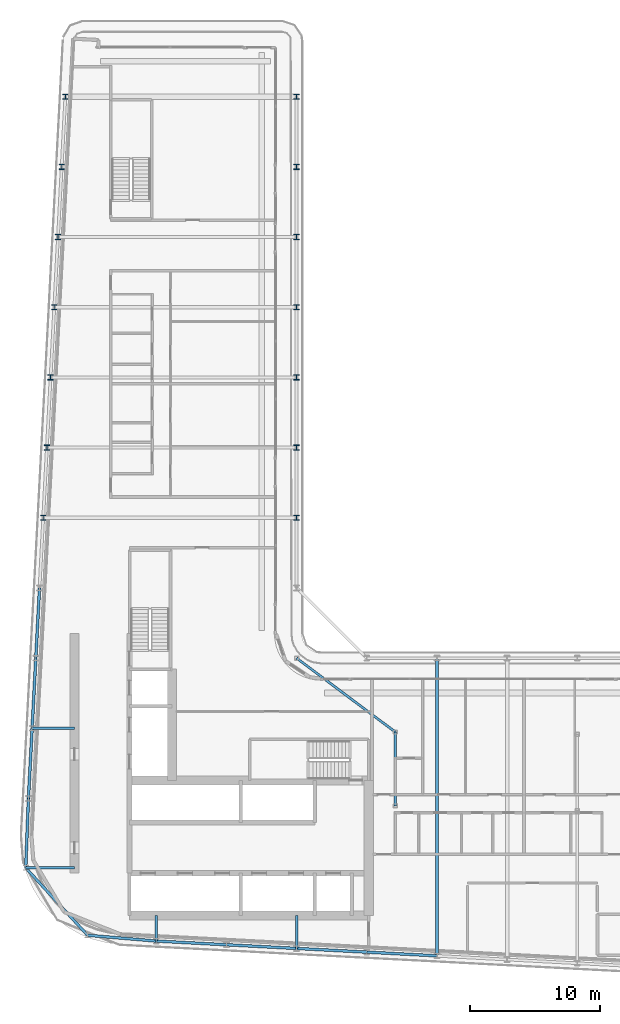
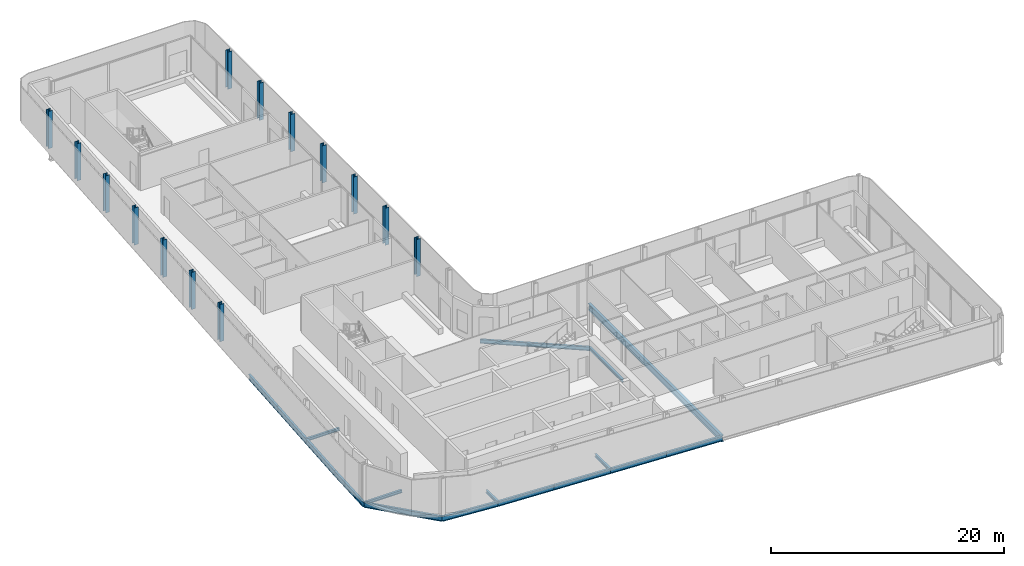
# One storey, part 3 of 21: 17 beams, 14 columns.
"""IFC4 building model written with IfcOpenShell, lengths in metres."""

from ifc_helpers import new_model, si_unit, direction, frame, origin, origin_2d, place, context, subcontext, project, spatial, i_section, extrude, material, material_profile, profile_set, type_object, element, save


model = new_model("IFC4")

# Units and contexts
model_context = context("Model", 3, precision=1e-05, world=origin(), true_north=direction((0.0, 1.0)))
body_context = subcontext(model_context, "Body", "Model", "MODEL_VIEW")
ifc_project = project(units=[si_unit("LENGTHUNIT", "METRE"), si_unit("AREAUNIT", "SQUARE_METRE"), si_unit("VOLUMEUNIT", "CUBIC_METRE"), si_unit("PLANEANGLEUNIT", "RADIAN"), si_unit("MASSUNIT", "GRAM", prefix="KILO")], contexts=[model_context])

# Site, building, storey
site_placement = place(None, origin())
site = spatial("IfcSite", under=ifc_project, at=site_placement, CompositionType="ELEMENT")
building_placement = place(site_placement, origin())
building = spatial("IfcBuilding", under=site, at=building_placement, Name="Kheshtan School and Residences Tower", CompositionType="ELEMENT")
storey_placement = place(building_placement, frame((0.0, 0.0, 235.699951171875)))
storey = spatial("IfcBuildingStorey", under=building, at=storey_placement, Name="L55", CompositionType="ELEMENT", Elevation=235.699951171875)

# Columns
ifc_material = material(Name="Steel ASTM A992 Grade 50", Category="steel")
ifc_material_profile_1 = material_profile(ifc_material, i_section(OverallWidth=0.404052734375, OverallDepth=0.406982421875, WebThickness=0.027099609375, FlangeThickness=0.043701171875, FilletRadius=0.01220703125, at=origin_2d()), Name="W360x347")
ifc_profile_set_1 = profile_set([ifc_material_profile_1], Name="Steel ASTM A992 Grade 50")
column_type = type_object("IfcColumnType", Name="Column C4 W360x347 ASTM A992 Grade 50", PredefinedType="COLUMN", material=ifc_profile_set_1)
for number, where, z_axis, x_axis, name in (
    (1, (28.10595703125, 56.39990234375, 0.0), (0.0, 0.0, 1.0), (1.0, 0.0, 0.0), "Column C080"),
    (2, (47.60009765625, 56.39990234375, 0.0), (0.0, 0.0, 1.0), (1.0, 0.0, 0.0), "Column C081"),
    (3, (28.389892578125, 61.800048828125, 0.0), (0.0, 0.0, 1.0), (1.0, 0.0, 0.0), "Column C082"),
    (4, (47.60009765625, 61.800048828125, 0.0), (0.0, 0.0, 1.0), (1.0, 0.0, 0.0), "Column C083"),
    (5, (28.674072265625, 67.199951171875, 0.0), (0.0, 0.0, 1.0), (1.0, 0.0, 0.0), "Column C084"),
    (6, (47.60009765625, 67.199951171875, 0.0), (0.0, 0.0, 1.0), (1.0, 0.0, 0.0), "Column C085"),
    (7, (28.9580078125, 72.60009765625, 0.0), (0.0, 0.0, 1.0), (1.0, 0.0, 0.0), "Column C086"),
    (8, (47.60009765625, 72.60009765625, 0.0), (0.0, 0.0, 1.0), (1.0, 0.0, 0.0), "Column C087"),
    (9, (29.242919921875, 78.0, 0.0), (0.0, 0.0, 1.0), (1.0, 0.0, 0.0), "Column C088"),
    (10, (47.60009765625, 78.0, 0.0), (0.0, 0.0, 1.0), (1.0, 0.0, 0.0), "Column C089"),
    (11, (29.527099609375, 83.39990234375, 0.0), (0.0, 0.0, 1.0), (1.0, 0.0, 0.0), "Column C090"),
    (12, (47.60009765625, 83.39990234375, 0.0), (0.0, 0.0, 1.0), (1.0, 0.0, 0.0), "Column C091"),
    (13, (29.81103515625, 88.800048828125, 0.0), (0.0, 0.0, 1.0), (1.0, 0.0, 0.0), "Column C098"),
    (14, (47.60009765625, 88.800048828125, 0.0), (0.0, 0.0, 1.0), (1.0, 0.0, 0.0), "Column C099"),
):
    element("IfcColumn", number, at=place(storey_placement, frame(where, z_axis=z_axis, x_axis=x_axis)), inside=storey, type_object=column_type, Name=name, PredefinedType="COLUMN", context=body_context, shape_type="SweptSolid", body=[
        extrude(i_section(OverallWidth=0.404052734375, OverallDepth=0.406982421875, WebThickness=0.027099609375, FlangeThickness=0.043701171875, FilletRadius=0.01220703125, at=origin_2d()), origin(), (0.0, 0.0, 1.0), 3.900146484375),
    ])

# Beams
ifc_material_profile_2 = material_profile(ifc_material, i_section(OverallWidth=0.202880859375, OverallDepth=0.302978515625, WebThickness=0.007568359375, FlangeThickness=0.01318359375, FilletRadius=0.009033203125, at=origin_2d()), Name="W310x60")
ifc_profile_set_2 = profile_set([ifc_material_profile_2], Name="Steel ASTM A992 Grade 50")
beam_type_1 = type_object("IfcBeamType", Name="Beam FB1 W310x60 ASTM A992 Grade 50", PredefinedType="BEAM", material=ifc_profile_set_2)
beam_1_placement = place(storey_placement, frame((47.60009765625, 23.263916015625, -0.301513671875), z_axis=(0.0, 1.0, 0.0), x_axis=(-1.0, 0.0, 0.0)))
element("IfcBeam", 15, at=beam_1_placement, inside=storey, type_object=beam_type_1, Name="Floor beam C020", PredefinedType="BEAM", context=body_context, shape_type="SweptSolid", body=[
    extrude(i_section(OverallWidth=0.202880859375, OverallDepth=0.302978515625, WebThickness=0.007568359375, FlangeThickness=0.01318359375, FilletRadius=0.009033203125, at=origin_2d()), origin(), (0.0, 0.0, 1.0), 2.5361328125),
])
beam_2_placement = place(storey_placement, frame((36.800048828125, 23.83203125, -0.301513671875), z_axis=(0.0, 1.0, 0.0), x_axis=(-1.0, 0.0, 0.0)))
element("IfcBeam", 16, at=beam_2_placement, inside=storey, type_object=beam_type_1, Name="Floor beam C022", PredefinedType="BEAM", context=body_context, shape_type="SweptSolid", body=[
    extrude(i_section(OverallWidth=0.202880859375, OverallDepth=0.302978515625, WebThickness=0.007568359375, FlangeThickness=0.01318359375, FilletRadius=0.009033203125, at=origin_2d()), origin(), (0.0, 0.0, 1.0), 1.968017578125),
])
beam_3_placement = place(storey_placement, frame((26.760986328125, 29.465087890625, -0.301513671875), z_axis=(1.0, 0.0, 0.0), x_axis=(0.0, 1.0, 0.0)))
element("IfcBeam", 17, at=beam_3_placement, inside=storey, type_object=beam_type_1, Name="Floor beam C042", PredefinedType="BEAM", context=body_context, shape_type="SweptSolid", body=[
    extrude(i_section(OverallWidth=0.202880859375, OverallDepth=0.302978515625, WebThickness=0.007568359375, FlangeThickness=0.01318359375, FilletRadius=0.009033203125, at=origin_2d()), origin(), (0.0, 0.0, 1.0), 3.739013671875),
])
beam_4_placement = place(storey_placement, frame((27.2529296875, 40.199951171875, -0.301513671875), z_axis=(1.0, 0.0, 0.0), x_axis=(0.0, 1.0, 0.0)))
element("IfcBeam", 18, at=beam_4_placement, inside=storey, type_object=beam_type_1, Name="Floor beam C056", PredefinedType="BEAM", context=body_context, shape_type="SweptSolid", body=[
    extrude(i_section(OverallWidth=0.202880859375, OverallDepth=0.302978515625, WebThickness=0.007568359375, FlangeThickness=0.01318359375, FilletRadius=0.009033203125, at=origin_2d()), origin(), (0.0, 0.0, 1.0), 3.2470703125),
])
beam_5_placement = place(storey_placement, frame((55.199951171875, 34.23193359375, -0.301513671875), z_axis=(0.0, 1.0, 0.0), x_axis=(-1.0, 0.0, 0.0)))
element("IfcBeam", 19, at=beam_5_placement, inside=storey, type_object=beam_type_1, Name="Floor beam IC", PredefinedType="BEAM", context=body_context, shape_type="SweptSolid", body=[
    extrude(i_section(OverallWidth=0.202880859375, OverallDepth=0.302978515625, WebThickness=0.007568359375, FlangeThickness=0.01318359375, FilletRadius=0.009033203125, at=origin_2d()), origin(), (0.0, 0.0, 1.0), 5.68408203125),
])
ifc_material_profile_3 = material_profile(ifc_material, i_section(OverallWidth=0.180908203125, OverallDepth=0.4169921875, WebThickness=0.010986328125, FlangeThickness=0.018310546875, FilletRadius=0.012451171875, at=origin_2d()), Name="W410x85")
ifc_profile_set_3 = profile_set([ifc_material_profile_3], Name="Steel ASTM A992 Grade 50")
beam_type_2 = type_object("IfcBeamType", Name="Beam FB3 W410x85 ASTM A992 Grade 50", PredefinedType="BEAM", material=ifc_profile_set_3)
beam_6_placement = place(storey_placement, frame((47.60009765625, 45.60009765625, -0.3583984375), z_axis=(0.800798828004, -0.598933416222, 0.0), x_axis=(0.598933416222, 0.800798828004, 0.0)))
element("IfcBeam", 20, at=beam_6_placement, inside=storey, type_object=beam_type_2, Name="Floor beam IC", PredefinedType="BEAM", context=body_context, shape_type="SweptSolid", body=[
    extrude(i_section(OverallWidth=0.180908203125, OverallDepth=0.4169921875, WebThickness=0.010986328125, FlangeThickness=0.018310546875, FilletRadius=0.012451171875, at=origin_2d()), origin(), (0.0, 0.0, 1.0), 9.490234375),
])
ifc_material_profile_4 = material_profile(ifc_material, i_section(OverallWidth=0.2529296875, OverallDepth=0.677978515625, WebThickness=0.01171875, FlangeThickness=0.016357421875, FilletRadius=0.0146484375, at=origin_2d()), Name="W690x125")
ifc_profile_set_4 = profile_set([ifc_material_profile_4], Name="Steel ASTM A992 Grade 50")
beam_type_3 = type_object("IfcBeamType", Name="Beam FB6 W690x125 ASTM A992 Grade 50", PredefinedType="BEAM", material=ifc_profile_set_4)
beam_7_placement = place(storey_placement, frame((58.39990234375, 22.695068359375, -0.489013671875), z_axis=(0.0, 1.0, 0.0), x_axis=(-1.0, 0.0, 0.0)))
element("IfcBeam", 21, at=beam_7_placement, inside=storey, type_object=beam_type_3, Name="Floor beam C018", PredefinedType="BEAM", context=body_context, shape_type="SweptSolid", body=[
    extrude(i_section(OverallWidth=0.2529296875, OverallDepth=0.677978515625, WebThickness=0.01171875, FlangeThickness=0.016357421875, FilletRadius=0.0146484375, at=origin_2d()), origin(), (0.0, 0.0, 1.0), 22.905029296875),
])
ifc_material_profile_5 = material_profile(ifc_material, i_section(OverallWidth=0.208984375, OverallDepth=0.532958984375, WebThickness=0.01025390625, FlangeThickness=0.015625, FilletRadius=0.013916015625, at=origin_2d()), Name="W530x92")
ifc_profile_set_5 = profile_set([ifc_material_profile_5], Name="Steel ASTM A992 Grade 50")
beam_type_4 = type_object("IfcBeamType", Name="Beam SP3 W530x92 ASTM A992 Grade 50", PredefinedType="BEAM", material=ifc_profile_set_5)
for number, where, z_axis, x_axis, name in (
    (22, (58.39990234375, 22.695068359375, -0.41650390625), (-0.998610961136, 0.052689166816, 0.0), (-0.052689166816, -0.998610961136, 0.0), "Spandrel beam C018-C019"),
    (23, (53.0, 22.97998046875, -0.41650390625), (-0.998620447272, 0.05250906864, 0.0), (-0.05250906864, -0.998620447272, 0.0), "Spandrel beam C019-C020"),
):
    element("IfcBeam", number, at=place(storey_placement, frame(where, z_axis=z_axis, x_axis=x_axis)), inside=storey, type_object=beam_type_4, Name=name, PredefinedType="BEAM", context=body_context, shape_type="SweptSolid", body=[
        extrude(i_section(OverallWidth=0.208984375, OverallDepth=0.532958984375, WebThickness=0.01025390625, FlangeThickness=0.015625, FilletRadius=0.013916015625, at=origin_2d()), origin(), (0.0, 0.0, 1.0), 5.407470703125),
    ])
beam_8_placement = place(storey_placement, frame((47.60009765625, 23.263916015625, -0.41650390625), z_axis=(-0.998618203458, 0.052551724256, 0.0), x_axis=(-0.052551724256, -0.998618203458, 0.0)))
element("IfcBeam", 24, at=beam_8_placement, inside=storey, type_object=beam_type_4, Name="Spandrel beam C020-C021", PredefinedType="BEAM", context=body_context, shape_type="SweptSolid", body=[
    extrude(i_section(OverallWidth=0.208984375, OverallDepth=0.532958984375, WebThickness=0.01025390625, FlangeThickness=0.015625, FilletRadius=0.013916015625, at=origin_2d()), origin(), (0.0, 0.0, 1.0), 5.40771484375),
])
beam_9_placement = place(storey_placement, frame((42.199951171875, 23.548095703125, -0.41650390625), z_axis=(-0.998620447272, 0.05250906864, 0.0), x_axis=(-0.05250906864, -0.998620447272, 0.0)))
element("IfcBeam", 25, at=beam_9_placement, inside=storey, type_object=beam_type_4, Name="Spandrel beam C021-C022", PredefinedType="BEAM", context=body_context, shape_type="SweptSolid", body=[
    extrude(i_section(OverallWidth=0.208984375, OverallDepth=0.532958984375, WebThickness=0.01025390625, FlangeThickness=0.015625, FilletRadius=0.013916015625, at=origin_2d()), origin(), (0.0, 0.0, 1.0), 5.407470703125),
])
beam_10_placement = place(storey_placement, frame((36.800048828125, 23.83203125, -0.41650390625), z_axis=(-0.996468782973, 0.083964067084, 0.0), x_axis=(-0.083964067084, -0.996468782973, 0.0)))
element("IfcBeam", 26, at=beam_10_placement, inside=storey, type_object=beam_type_4, Name="Spandrel beam C022-C029", PredefinedType="BEAM", context=body_context, shape_type="SweptSolid", body=[
    extrude(i_section(OverallWidth=0.208984375, OverallDepth=0.532958984375, WebThickness=0.01025390625, FlangeThickness=0.015625, FilletRadius=0.013916015625, at=origin_2d()), origin(), (0.0, 0.0, 1.0), 5.30078125),
])
beam_11_placement = place(storey_placement, frame((31.51806640625, 24.277099609375, -0.41650390625), z_axis=(-0.675834565475, 0.737053349568, 0.0), x_axis=(-0.737053349568, -0.675834565475, 0.0)))
element("IfcBeam", 27, at=beam_11_placement, inside=storey, type_object=beam_type_4, Name="Spandrel beam C029-C042", PredefinedType="BEAM", context=body_context, shape_type="SweptSolid", body=[
    extrude(i_section(OverallWidth=0.208984375, OverallDepth=0.532958984375, WebThickness=0.01025390625, FlangeThickness=0.015625, FilletRadius=0.013916015625, at=origin_2d()), origin(), (0.0, 0.0, 1.0), 7.038818359375),
])
beam_12_placement = place(storey_placement, frame((26.760986328125, 29.465087890625, -0.41650390625), z_axis=(0.038959964217, 0.999240772381, 0.0), x_axis=(-0.999240772381, 0.038959964217, 0.0)))
element("IfcBeam", 28, at=beam_12_placement, inside=storey, type_object=beam_type_4, Name="Spandrel beam C042-C052", PredefinedType="BEAM", context=body_context, shape_type="SweptSolid", body=[
    extrude(i_section(OverallWidth=0.208984375, OverallDepth=0.532958984375, WebThickness=0.01025390625, FlangeThickness=0.015625, FilletRadius=0.013916015625, at=origin_2d()), origin(), (0.0, 0.0, 1.0), 5.339111328125),
])
beam_13_placement = place(storey_placement, frame((26.968994140625, 34.800048828125, -0.41650390625), z_axis=(0.05250906864, 0.998620447272, 0.0), x_axis=(-0.998620447272, 0.05250906864, 0.0)))
element("IfcBeam", 29, at=beam_13_placement, inside=storey, type_object=beam_type_4, Name="Spandrel beam C052-C056", PredefinedType="BEAM", context=body_context, shape_type="SweptSolid", body=[
    extrude(i_section(OverallWidth=0.208984375, OverallDepth=0.532958984375, WebThickness=0.01025390625, FlangeThickness=0.015625, FilletRadius=0.013916015625, at=origin_2d()), origin(), (0.0, 0.0, 1.0), 5.407470703125),
])
beam_14_placement = place(storey_placement, frame((27.2529296875, 40.199951171875, -0.41650390625), z_axis=(0.052551724256, 0.998618203458, 0.0), x_axis=(-0.998618203458, 0.052551724256, 0.0)))
element("IfcBeam", 30, at=beam_14_placement, inside=storey, type_object=beam_type_4, Name="Spandrel beam C056-C059", PredefinedType="BEAM", context=body_context, shape_type="SweptSolid", body=[
    extrude(i_section(OverallWidth=0.208984375, OverallDepth=0.532958984375, WebThickness=0.01025390625, FlangeThickness=0.015625, FilletRadius=0.013916015625, at=origin_2d()), origin(), (0.0, 0.0, 1.0), 5.40771484375),
])
beam_15_placement = place(storey_placement, frame((27.537109375, 45.60009765625, -0.41650390625), z_axis=(0.052689166816, 0.998610961136, 0.0), x_axis=(-0.998610961136, 0.052689166816, 0.0)))
element("IfcBeam", 31, at=beam_15_placement, inside=storey, type_object=beam_type_4, Name="Spandrel beam C059-C078", PredefinedType="BEAM", context=body_context, shape_type="SweptSolid", body=[
    extrude(i_section(OverallWidth=0.208984375, OverallDepth=0.532958984375, WebThickness=0.01025390625, FlangeThickness=0.015625, FilletRadius=0.013916015625, at=origin_2d()), origin(), (0.0, 0.0, 1.0), 5.407470703125),
])

save(model, "model.ifc")
